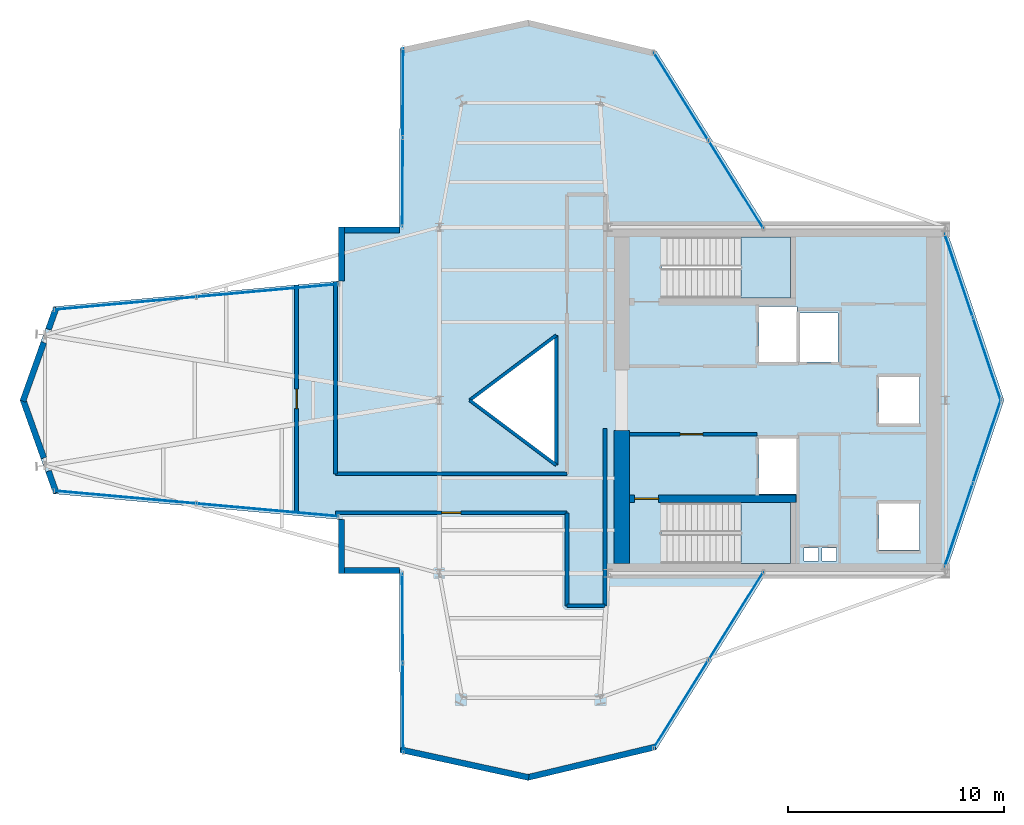
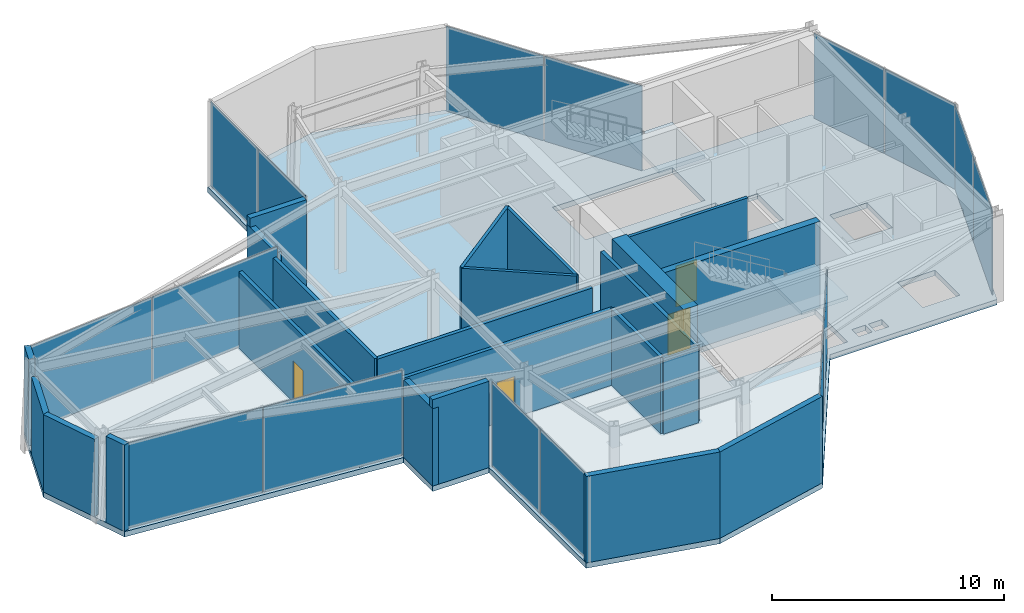
# One storey, part 9 of 14: 23 walls, 16 plates, 4 doors, 3 slabs, 4 openings, 10 elements without a shape of their own.
"""IFC4 building model written with IfcOpenShell, lengths in metres."""

from ifc_helpers import new_model, si_unit, direction, frame, frame_2d, origin, origin_2d, place, context, subcontext, project, spatial, polyline, rectangle, outline, extrude, material, layer, layer_set, type_object, element, fill, aggregate, save


model = new_model("IFC4")

# Units and contexts
model_context = context("Model", 3, precision=1e-05, world=origin(), true_north=direction((0.0, 1.0)))
body_context = subcontext(model_context, "Body", "Model", "MODEL_VIEW")
ifc_project = project(units=[si_unit("LENGTHUNIT", "METRE"), si_unit("AREAUNIT", "SQUARE_METRE"), si_unit("VOLUMEUNIT", "CUBIC_METRE"), si_unit("PLANEANGLEUNIT", "RADIAN"), si_unit("MASSUNIT", "GRAM", prefix="KILO")], contexts=[model_context])

# Site, building, storey
site_placement = place(None, origin())
site = spatial("IfcSite", under=ifc_project, at=site_placement, CompositionType="ELEMENT")
building_placement = place(site_placement, origin())
building = spatial("IfcBuilding", under=site, at=building_placement, Name="Veymaron Broadcast Tower", CompositionType="ELEMENT")
storey_placement = place(building_placement, frame((0.0, 0.0, 187.050048828125)))
storey = spatial("IfcBuildingStorey", under=building, at=storey_placement, Name="L43", CompositionType="ELEMENT", Elevation=187.050048828125)

# Curtain wall, plates
ifc_material_1 = material(Name="Anodised aluminium AA 6063-T6 and laminated low-E dark glass", Category="aluminium")
ifc_layer_1 = layer(ifc_material_1, 0.179931640625)
ifc_layer_set_1 = layer_set([ifc_layer_1], Name="Anodised aluminium AA 6063-T6 and laminated low-E dark glass")
curtain_wall_type = type_object("IfcCurtainWallType", Name="CW-SYS-04", PredefinedType="NOTDEFINED", material=ifc_layer_set_1)
curtain_wall_1_placement = place(storey_placement, origin())
curtain_wall_1 = element("IfcCurtainWall", 1, at=curtain_wall_1_placement, inside=storey, type_object=curtain_wall_type, Name="L43 dark-glass curtain wall CW-L43-E2-1", PredefinedType="NOTDEFINED")
ifc_material_2 = material(Name="Triple-laminated solar-control dark glass IGU 36 mm", Category="glass")
ifc_layer_2 = layer(ifc_material_2, 0.035888671875)
ifc_layer_set_2 = layer_set([ifc_layer_2], Name="Triple-laminated solar-control dark glass IGU 36 mm")
plate_type = type_object("IfcPlateType", Name="CW-PNL-01", PredefinedType="CURTAIN_PANEL", material=ifc_layer_set_2)
plate_1_placement = place(storey_placement, frame((55.203369140625, 18.228515625, 0.0400390625), z_axis=(0.0, 0.0, 1.0), x_axis=(0.319389360105, 0.947623573288, 0.0)))
plate_1 = element("IfcPlate", 2, at=plate_1_placement, type_object=plate_type, Name="CW-L43-E2-1 unitised curtain panel 0", PredefinedType="CURTAIN_PANEL", context=body_context, shape_type="SweptSolid", body=[
    extrude(rectangle(XDim=4.03173828125, YDim=0.035888671875, at=origin_2d()), origin(), (0.0, 0.0, 1.0), 4.4599609375),
])
plate_2_placement = place(storey_placement, frame((56.51025390625, 22.10595703125, 0.0400390625), z_axis=(0.0, 0.0, 1.0), x_axis=(0.319389360105, 0.947623573288, 0.0)))
plate_2 = element("IfcPlate", 3, at=plate_2_placement, type_object=plate_type, Name="CW-L43-E2-1 unitised curtain panel 1", PredefinedType="CURTAIN_PANEL", context=body_context, shape_type="SweptSolid", body=[
    extrude(rectangle(XDim=4.03173828125, YDim=0.035888671875, at=origin_2d()), origin(), (0.0, 0.0, 1.0), 4.4599609375),
])
aggregate(curtain_wall_1, [plate_1, plate_2])

curtain_wall_2_placement = place(storey_placement, origin())
curtain_wall_2 = element("IfcCurtainWall", 4, at=curtain_wall_2_placement, inside=storey, type_object=curtain_wall_type, Name="L43 dark-glass curtain wall CW-L43-E3-1", PredefinedType="NOTDEFINED")
plate_3_placement = place(storey_placement, frame((56.51025390625, 25.89404296875, 0.0400390625), z_axis=(0.0, 0.0, 1.0), x_axis=(-0.319389360105, 0.947623573288, 0.0)))
plate_3 = element("IfcPlate", 5, at=plate_3_placement, type_object=plate_type, Name="CW-L43-E3-1 unitised curtain panel 0", PredefinedType="CURTAIN_PANEL", context=body_context, shape_type="SweptSolid", body=[
    extrude(rectangle(XDim=4.03173828125, YDim=0.035888671875, at=origin_2d()), origin(), (0.0, 0.0, 1.0), 4.4599609375),
])
plate_4_placement = place(storey_placement, frame((55.203369140625, 29.771484375, 0.0400390625), z_axis=(0.0, 0.0, 1.0), x_axis=(-0.319389360105, 0.947623573288, 0.0)))
plate_4 = element("IfcPlate", 6, at=plate_4_placement, type_object=plate_type, Name="CW-L43-E3-1 unitised curtain panel 1", PredefinedType="CURTAIN_PANEL", context=body_context, shape_type="SweptSolid", body=[
    extrude(rectangle(XDim=4.03173828125, YDim=0.035888671875, at=origin_2d()), origin(), (0.0, 0.0, 1.0), 4.4599609375),
])
aggregate(curtain_wall_2, [plate_3, plate_4])

curtain_wall_3_placement = place(storey_placement, origin())
curtain_wall_3 = element("IfcCurtainWall", 7, at=curtain_wall_3_placement, inside=storey, type_object=curtain_wall_type, Name="L43 dark-glass curtain wall CW-L43-E5-1", PredefinedType="NOTDEFINED")
plate_5_placement = place(storey_placement, frame((44.9111328125, 33.96630859375, 0.0400390625), z_axis=(0.0, 0.0, 1.0), x_axis=(-0.528912407519, 0.848676419593, 0.0)))
plate_5 = element("IfcPlate", 8, at=plate_5_placement, type_object=plate_type, Name="CW-L43-E5-1 unitised curtain panel 0", PredefinedType="CURTAIN_PANEL", context=body_context, shape_type="SweptSolid", body=[
    extrude(rectangle(XDim=4.748046875, YDim=0.035888671875, at=origin_2d()), origin(), (0.0, 0.0, 1.0), 4.4599609375),
])
plate_6_placement = place(storey_placement, frame((42.3681640625, 38.046630859375, 0.0400390625), z_axis=(0.0, 0.0, 1.0), x_axis=(-0.528912407519, 0.848676419593, 0.0)))
plate_6 = element("IfcPlate", 9, at=plate_6_placement, type_object=plate_type, Name="CW-L43-E5-1 unitised curtain panel 1", PredefinedType="CURTAIN_PANEL", context=body_context, shape_type="SweptSolid", body=[
    extrude(rectangle(XDim=4.748046875, YDim=0.035888671875, at=origin_2d()), origin(), (0.0, 0.0, 1.0), 4.4599609375),
])
aggregate(curtain_wall_3, [plate_5, plate_6])

curtain_wall_4_placement = place(storey_placement, origin())
curtain_wall_4 = element("IfcCurtainWall", 10, at=curtain_wall_4_placement, inside=storey, type_object=curtain_wall_type, Name="L43 dark-glass curtain wall CW-L43-E8-1", PredefinedType="NOTDEFINED")
plate_7_placement = place(storey_placement, frame((29.517578125, 38.21630859375, 0.0400390625), z_axis=(0.0, 0.0, 1.0), x_axis=(-0.004555293593, -0.999989624596, 0.0)))
plate_7 = element("IfcPlate", 11, at=plate_7_placement, type_object=plate_type, Name="CW-L43-E8-1 unitised curtain panel 0", PredefinedType="CURTAIN_PANEL", context=body_context, shape_type="SweptSolid", body=[
    extrude(rectangle(XDim=4.084716796875, YDim=0.035888671875, at=origin_2d()), origin(), (0.0, 0.0, 1.0), 4.4599609375),
])
plate_8_placement = place(storey_placement, frame((29.498779296875, 34.07177734375, 0.0400390625), z_axis=(0.0, 0.0, 1.0), x_axis=(-0.004555293593, -0.999989624596, 0.0)))
plate_8 = element("IfcPlate", 12, at=plate_8_placement, type_object=plate_type, Name="CW-L43-E8-1 unitised curtain panel 1", PredefinedType="CURTAIN_PANEL", context=body_context, shape_type="SweptSolid", body=[
    extrude(rectangle(XDim=4.084716796875, YDim=0.035888671875, at=origin_2d()), origin(), (0.0, 0.0, 1.0), 4.4599609375),
])
aggregate(curtain_wall_4, [plate_7, plate_8])

curtain_wall_5_placement = place(storey_placement, origin())
curtain_wall_5 = element("IfcCurtainWall", 13, at=curtain_wall_5_placement, inside=storey, type_object=curtain_wall_type, Name="L43 dark-glass curtain wall CW-L43-E11-1", PredefinedType="NOTDEFINED")
plate_9_placement = place(storey_placement, frame((23.26171875, 29.0712890625, 0.0400390625), z_axis=(0.0, 0.0, 1.0), x_axis=(-0.99598501487, -0.089520110337, 0.0)))
plate_9 = element("IfcPlate", 14, at=plate_9_placement, type_object=plate_type, Name="CW-L43-E11-1 unitised curtain panel 0", PredefinedType="CURTAIN_PANEL", context=body_context, shape_type="SweptSolid", body=[
    extrude(rectangle(XDim=6.559326171875, YDim=0.035888671875, at=origin_2d()), origin(), (0.0, 0.0, 1.0), 4.4599609375),
])
plate_10_placement = place(storey_placement, frame((16.6689453125, 28.478759765625, 0.0400390625), z_axis=(0.0, 0.0, 1.0), x_axis=(-0.99598501487, -0.089520110337, 0.0)))
plate_10 = element("IfcPlate", 15, at=plate_10_placement, type_object=plate_type, Name="CW-L43-E11-1 unitised curtain panel 1", PredefinedType="CURTAIN_PANEL", context=body_context, shape_type="SweptSolid", body=[
    extrude(rectangle(XDim=6.559326171875, YDim=0.035888671875, at=origin_2d()), origin(), (0.0, 0.0, 1.0), 4.4599609375),
])
aggregate(curtain_wall_5, [plate_9, plate_10])

curtain_wall_6_placement = place(storey_placement, origin())
curtain_wall_6 = element("IfcCurtainWall", 16, at=curtain_wall_6_placement, inside=storey, type_object=curtain_wall_type, Name="L43 dark-glass curtain wall CW-L43-E14-1", PredefinedType="NOTDEFINED")
plate_11_placement = place(storey_placement, frame((16.6689453125, 19.521240234375, 0.0400390625), z_axis=(0.0, 0.0, 1.0), x_axis=(0.99598501487, -0.089520110337, 0.0)))
plate_11 = element("IfcPlate", 17, at=plate_11_placement, type_object=plate_type, Name="CW-L43-E14-1 unitised curtain panel 0", PredefinedType="CURTAIN_PANEL", context=body_context, shape_type="SweptSolid", body=[
    extrude(rectangle(XDim=6.559326171875, YDim=0.035888671875, at=origin_2d()), origin(), (0.0, 0.0, 1.0), 4.4599609375),
])
plate_12_placement = place(storey_placement, frame((23.26171875, 18.9287109375, 0.0400390625), z_axis=(0.0, 0.0, 1.0), x_axis=(0.99598501487, -0.089520110337, 0.0)))
plate_12 = element("IfcPlate", 18, at=plate_12_placement, type_object=plate_type, Name="CW-L43-E14-1 unitised curtain panel 1", PredefinedType="CURTAIN_PANEL", context=body_context, shape_type="SweptSolid", body=[
    extrude(rectangle(XDim=6.559326171875, YDim=0.035888671875, at=origin_2d()), origin(), (0.0, 0.0, 1.0), 4.4599609375),
])
aggregate(curtain_wall_6, [plate_11, plate_12])

curtain_wall_7_placement = place(storey_placement, origin())
curtain_wall_7 = element("IfcCurtainWall", 19, at=curtain_wall_7_placement, inside=storey, type_object=curtain_wall_type, Name="L43 dark-glass curtain wall CW-L43-E17-1", PredefinedType="NOTDEFINED")
plate_13_placement = place(storey_placement, frame((29.498779296875, 13.92822265625, 0.0400390625), z_axis=(0.0, 0.0, 1.0), x_axis=(0.004555293593, -0.999989624596, 0.0)))
plate_13 = element("IfcPlate", 20, at=plate_13_placement, type_object=plate_type, Name="CW-L43-E17-1 unitised curtain panel 0", PredefinedType="CURTAIN_PANEL", context=body_context, shape_type="SweptSolid", body=[
    extrude(rectangle(XDim=4.084716796875, YDim=0.035888671875, at=origin_2d()), origin(), (0.0, 0.0, 1.0), 4.4599609375),
])
plate_14_placement = place(storey_placement, frame((29.517578125, 9.78369140625, 0.0400390625), z_axis=(0.0, 0.0, 1.0), x_axis=(0.004555293593, -0.999989624596, 0.0)))
plate_14 = element("IfcPlate", 21, at=plate_14_placement, type_object=plate_type, Name="CW-L43-E17-1 unitised curtain panel 1", PredefinedType="CURTAIN_PANEL", context=body_context, shape_type="SweptSolid", body=[
    extrude(rectangle(XDim=4.084716796875, YDim=0.035888671875, at=origin_2d()), origin(), (0.0, 0.0, 1.0), 4.4599609375),
])
aggregate(curtain_wall_7, [plate_13, plate_14])

curtain_wall_8_placement = place(storey_placement, origin())
curtain_wall_8 = element("IfcCurtainWall", 22, at=curtain_wall_8_placement, inside=storey, type_object=curtain_wall_type, Name="L43 dark-glass curtain wall CW-L43-E20-1", PredefinedType="NOTDEFINED")
plate_15_placement = place(storey_placement, frame((42.3681640625, 9.953369140625, 0.0400390625), z_axis=(0.0, 0.0, 1.0), x_axis=(0.528912407519, 0.848676419593, 0.0)))
plate_15 = element("IfcPlate", 23, at=plate_15_placement, type_object=plate_type, Name="CW-L43-E20-1 unitised curtain panel 0", PredefinedType="CURTAIN_PANEL", context=body_context, shape_type="SweptSolid", body=[
    extrude(rectangle(XDim=4.748046875, YDim=0.035888671875, at=origin_2d()), origin(), (0.0, 0.0, 1.0), 4.4599609375),
])
plate_16_placement = place(storey_placement, frame((44.9111328125, 14.03369140625, 0.0400390625), z_axis=(0.0, 0.0, 1.0), x_axis=(0.528912407519, 0.848676419593, 0.0)))
plate_16 = element("IfcPlate", 24, at=plate_16_placement, type_object=plate_type, Name="CW-L43-E20-1 unitised curtain panel 1", PredefinedType="CURTAIN_PANEL", context=body_context, shape_type="SweptSolid", body=[
    extrude(rectangle(XDim=4.748046875, YDim=0.035888671875, at=origin_2d()), origin(), (0.0, 0.0, 1.0), 4.4599609375),
])
aggregate(curtain_wall_8, [plate_15, plate_16])

# Slab
ifc_material_3 = material(Name="Concrete C40/50", Category="concrete")
ifc_layer_3 = layer(ifc_material_3, 0.280029296875)
ifc_layer_set_3 = layer_set([ifc_layer_3], Name="Concrete C40/50")
slab_type_1 = type_object("IfcSlabType", Name="SLAB-FS3", PredefinedType="FLOOR", material=ifc_layer_set_3)
slab_1_placement = place(storey_placement, frame((0.0, 0.0, -0.280029296875)))
element("IfcSlab", 25, at=slab_1_placement, inside=storey, type_object=slab_type_1, Name="L43 structural floor slab", PredefinedType="FLOOR", context=body_context, shape_type="SweptSolid", body=[
    extrude(outline(polyline([(46.301513671875, 16.0), (54.60009765625, 16.0), (57.29638671875, 24.0), (54.60009765625, 32.0), (46.301513671875, 32.0), (41.21533203125, 40.160888671875), (35.30126953125, 41.5732421875), (29.386962890625, 40.289306640625), (29.34912109375, 32.0), (26.545654296875, 32.0), (26.545654296875, 29.507080078125), (13.360107421875, 28.322021484375), (11.819091796875, 24.0), (13.360107421875, 19.677978515625), (26.545654296875, 18.492919921875), (26.545654296875, 16.0), (29.34912109375, 16.0), (29.386962890625, 7.710693359375), (35.30126953125, 6.4267578125), (41.21533203125, 7.839111328125), (46.301513671875, 16.0)]), holes=[polyline([(45.969970703125, 28.330078125), (47.72998046875, 28.330078125), (47.72998046875, 25.77001953125), (45.969970703125, 25.77001953125), (45.969970703125, 28.330078125)]), polyline([(45.969970703125, 22.22998046875), (47.72998046875, 22.22998046875), (47.72998046875, 19.669921875), (45.969970703125, 19.669921875), (45.969970703125, 22.22998046875)]), polyline([(47.8701171875, 28.030029296875), (49.6298828125, 28.030029296875), (49.6298828125, 25.77001953125), (47.8701171875, 25.77001953125), (47.8701171875, 28.030029296875)]), polyline([(51.52001953125, 25.080078125), (53.3798828125, 25.080078125), (53.3798828125, 22.919921875), (51.52001953125, 22.919921875), (51.52001953125, 25.080078125)]), polyline([(51.52001953125, 19.22998046875), (53.3798828125, 19.22998046875), (53.3798828125, 17.070068359375), (51.52001953125, 17.070068359375), (51.52001953125, 19.22998046875)]), polyline([(48.050048828125, 17.159912109375), (48.719970703125, 17.159912109375), (48.719970703125, 16.56005859375), (48.050048828125, 16.56005859375), (48.050048828125, 17.159912109375)]), polyline([(48.8798828125, 17.159912109375), (49.550048828125, 17.159912109375), (49.550048828125, 16.56005859375), (48.8798828125, 16.56005859375), (48.8798828125, 17.159912109375)]), polyline([(36.60009765625, 27.0), (36.60009765625, 21.0), (32.60009765625, 24.0), (36.60009765625, 27.0)]), polyline([(41.489990234375, 31.550048828125), (47.43994140625, 31.550048828125), (47.43994140625, 28.72998046875), (41.489990234375, 28.72998046875), (41.489990234375, 31.550048828125)]), polyline([(41.489990234375, 19.27001953125), (47.43994140625, 19.27001953125), (47.43994140625, 16.449951171875), (41.489990234375, 16.449951171875), (41.489990234375, 19.27001953125)])]), origin(), (0.0, 0.0, 1.0), 0.280029296875),
])

# Stair, slab
ifc_material_4 = material(Name="Concrete C50/60", Category="concrete")
stair_type_1 = type_object("IfcStairType", Name="STAIR-CORE-1", PredefinedType="HALF_TURN_STAIR", material=ifc_material_4)
stair_1_placement = place(storey_placement, origin())
stair_1 = element("IfcStair", 26, at=stair_1_placement, inside=storey, type_object=stair_type_1, Name="L43 North protected dog-leg exit stair ST1", PredefinedType="HALF_TURN_STAIR")
ifc_layer_4 = layer(ifc_material_4, 0.199951171875)
ifc_layer_set_4 = layer_set([ifc_layer_4], Name="Concrete C50/60")
slab_type_2 = type_object("IfcSlabType", Name="SLAB-STAIR-LDG", PredefinedType="LANDING", material=ifc_layer_set_4)
slab_2_placement = place(storey_placement, frame((0.0, 0.0, 2.199951171875)))
slab_2 = element("IfcSlab", 27, at=slab_2_placement, type_object=slab_type_2, Name="ST1 landing 1", PredefinedType="LANDING", context=body_context, shape_type="SweptSolid", body=[
    extrude(outline(polyline([(45.135009765625, 28.72998046875), (47.43994140625, 28.72998046875), (47.43994140625, 31.550048828125), (45.135009765625, 31.550048828125), (45.135009765625, 28.72998046875)])), origin(), (0.0, 0.0, 1.0), 0.199951171875),
])
aggregate(stair_1, [slab_2])

stair_type_2 = type_object("IfcStairType", Name="STAIR-CORE-2", PredefinedType="HALF_TURN_STAIR", material=ifc_material_4)
stair_2_placement = place(storey_placement, origin())
stair_2 = element("IfcStair", 28, at=stair_2_placement, inside=storey, type_object=stair_type_2, Name="L43 South protected dog-leg exit stair ST2", PredefinedType="HALF_TURN_STAIR")
slab_3_placement = place(storey_placement, frame((0.0, 0.0, 2.199951171875)))
slab_3 = element("IfcSlab", 29, at=slab_3_placement, type_object=slab_type_2, Name="ST2 landing 1", PredefinedType="LANDING", context=body_context, shape_type="SweptSolid", body=[
    extrude(outline(polyline([(45.135009765625, 16.449951171875), (47.43994140625, 16.449951171875), (47.43994140625, 19.27001953125), (45.135009765625, 19.27001953125), (45.135009765625, 16.449951171875)])), origin(), (0.0, 0.0, 1.0), 0.199951171875),
])
aggregate(stair_2, [slab_3])

# Walls
ifc_material_5 = material(Name="Precast concrete C40/50", Category="concrete")
ifc_layer_5 = layer(ifc_material_5, 0.280029296875)
ifc_layer_set_5 = layer_set([ifc_layer_5], Name="Precast concrete C40/50")
wall_type_1 = type_object("IfcWallType", Name="WALL-EXT-280", PredefinedType="STANDARD", material=ifc_layer_set_5)
wall_1_placement = place(storey_placement, frame((29.34912109375, 31.860107421875, 0.0), z_axis=(0.0, 0.0, 1.0), x_axis=(-1.0, 0.0, 0.0)))
element("IfcWall", 30, at=wall_1_placement, inside=storey, type_object=wall_type_1, Name="L43 notched corner facade pier 9-1", PredefinedType="STANDARD", context=body_context, shape_type="SweptSolid", body=[
    extrude(rectangle(XDim=2.803466796875, YDim=0.280029296875, at=frame_2d((1.40185546875, 0.0))), origin(), (0.0, 0.0, 1.0), 4.5400390625),
])
wall_2_placement = place(storey_placement, frame((26.685546875, 32.0, 0.0), z_axis=(0.0, 0.0, 1.0), x_axis=(0.0, -1.0, 0.0)))
element("IfcWall", 31, at=wall_2_placement, inside=storey, type_object=wall_type_1, Name="L43 notched corner facade pier 10-1", PredefinedType="STANDARD", context=body_context, shape_type="SweptSolid", body=[
    extrude(rectangle(XDim=2.492919921875, YDim=0.280029296875, at=frame_2d((1.24658203125, 0.0))), origin(), (0.0, 0.0, 1.0), 4.06884765625),
])
wall_3_placement = place(storey_placement, frame((13.491943359375, 28.27490234375, 0.0), z_axis=(0.0, 0.0, 1.0), x_axis=(-0.335941997141, -0.94188267558, 0.0)))
element("IfcWall", 32, at=wall_3_placement, inside=storey, type_object=wall_type_1, Name="L43 notched corner facade pier 12-1", PredefinedType="STANDARD", context=body_context, shape_type="SweptSolid", body=[
    extrude(rectangle(XDim=1.058837890625, YDim=0.280029296875, at=frame_2d((0.529296875, 0.0))), origin(), (0.0, 0.0, 1.0), 4.5400390625),
])
for number, where, z_axis, x_axis, name in (
    (33, (12.919189453125, 26.668212890625, 0.0), (0.0, 0.0, 1.0), (-0.335799838309, -0.941933367384, 0.0), "L43 notched corner facade pier 12-2"),
    (34, (11.951171875, 24.047119140625, 0.0), (0.0, 0.0, 1.0), (0.335799838309, -0.941933367384, 0.0), "L43 notched corner facade pier 13-1"),
):
    element("IfcWall", number, at=place(storey_placement, frame(where, z_axis=z_axis, x_axis=x_axis)), inside=storey, type_object=wall_type_1, Name=name, PredefinedType="STANDARD", context=body_context, shape_type="SweptSolid", body=[
        extrude(rectangle(XDim=2.8828125, YDim=0.280029296875, at=frame_2d((1.44140625, 0.0))), origin(), (0.0, 0.0, 1.0), 4.06884765625),
    ])
wall_4_placement = place(storey_placement, frame((13.13623046875, 20.722412109375, 0.0), z_axis=(0.0, 0.0, 1.0), x_axis=(0.335941997141, -0.94188267558, 0.0)))
element("IfcWall", 35, at=wall_4_placement, inside=storey, type_object=wall_type_1, Name="L43 notched corner facade pier 13-2", PredefinedType="STANDARD", context=body_context, shape_type="SweptSolid", body=[
    extrude(rectangle(XDim=1.058837890625, YDim=0.280029296875, at=frame_2d((0.529296875, 0.0))), origin(), (0.0, 0.0, 1.0), 4.5400390625),
])
wall_5_placement = place(storey_placement, frame((26.685546875, 18.492919921875, 0.0), z_axis=(0.0, 0.0, 1.0), x_axis=(0.0, -1.0, 0.0)))
element("IfcWall", 36, at=wall_5_placement, inside=storey, type_object=wall_type_1, Name="L43 notched corner facade pier 15-1", PredefinedType="STANDARD", context=body_context, shape_type="SweptSolid", body=[
    extrude(rectangle(XDim=2.492919921875, YDim=0.280029296875, at=frame_2d((1.24658203125, 0.0))), origin(), (0.0, 0.0, 1.0), 4.06884765625),
])
wall_6_placement = place(storey_placement, frame((26.545654296875, 16.139892578125, 0.0), z_axis=(0.0, 0.0, 1.0), x_axis=(1.0, 0.0, 0.0)))
element("IfcWall", 37, at=wall_6_placement, inside=storey, type_object=wall_type_1, Name="L43 notched corner facade pier 16-1", PredefinedType="STANDARD", context=body_context, shape_type="SweptSolid", body=[
    extrude(rectangle(XDim=2.803466796875, YDim=0.280029296875, at=frame_2d((1.40185546875, 0.0))), origin(), (0.0, 0.0, 1.0), 4.5400390625),
])
wall_7_placement = place(storey_placement, frame((29.416748046875, 7.84765625, 0.0), z_axis=(0.0, 0.0, 1.0), x_axis=(0.977235673134, -0.212156638252, 0.0)))
element("IfcWall", 38, at=wall_7_placement, inside=storey, type_object=wall_type_1, Name="L43 notched corner facade pier 18-1", PredefinedType="STANDARD", context=body_context, shape_type="SweptSolid", body=[
    extrude(rectangle(XDim=6.0517578125, YDim=0.280029296875, at=frame_2d((3.02587890625, 0.0))), origin(), (0.0, 0.0, 1.0), 4.5400390625),
])
wall_8_placement = place(storey_placement, frame((35.268798828125, 6.56298828125, 0.0), z_axis=(0.0, 0.0, 1.0), x_axis=(0.972648741774, 0.232280918558, 0.0)))
element("IfcWall", 39, at=wall_8_placement, inside=storey, type_object=wall_type_1, Name="L43 notched corner facade pier 19-1", PredefinedType="STANDARD", context=body_context, shape_type="SweptSolid", body=[
    extrude(rectangle(XDim=6.080322265625, YDim=0.280029296875, at=frame_2d((3.0400390625, 0.0))), origin(), (0.0, 0.0, 1.0), 4.5400390625),
])

# Wall, opening, door
ifc_material_6 = material(Name="Gypsum fireboard and steel stud framing", Category="steel")
ifc_layer_6 = layer(ifc_material_6, 0.14990234375)
ifc_layer_set_6 = layer_set([ifc_layer_6], Name="Gypsum fireboard and steel stud framing")
wall_type_2 = type_object("IfcWallType", Name="WALL-FIRE-150", PredefinedType="PARTITIONING", material=ifc_layer_set_6)
wall_9_placement = place(storey_placement, frame((39.97998046875, 22.425048828125, 0.0), z_axis=(0.0, 0.0, 1.0), x_axis=(1.0, 0.0, 0.0)))
wall_9 = element("IfcWall", 40, at=wall_9_placement, inside=storey, type_object=wall_type_2, Name="L43 partition IW-L43-FFLS-N", PredefinedType="PARTITIONING", context=body_context, shape_type="SweptSolid", body=[
    extrude(rectangle(XDim=5.89990234375, YDim=0.14990234375, at=frame_2d((2.949951171875, 0.0))), origin(), (0.0, 0.0, 1.0), 4.5400390625),
])
opening_1_placement = place(wall_9_placement, frame((2.35009765625, 0.0, 0.0)))
opening_1 = element("IfcOpeningElement", 41, at=opening_1_placement, cuts=wall_9, Name="Opening ID-FL1", PredefinedType="OPENING", context=body_context, shape_type="SweptSolid", body=[
    extrude(rectangle(XDim=1.050048828125, YDim=2.14990234375, at=frame_2d((0.52490234375, 1.074951171875))), frame((0.0, 0.0849609375, 0.0), z_axis=(0.0, -1.0, 0.0), x_axis=(1.0, 0.0, 0.0)), (0.0, 0.0, 1.0), 0.169921875),
])
ifc_material_7 = material(Name="Fire-rated painted hollow steel ASTM A653", Category="steel")
door_type_1 = type_object("IfcDoorType", Name="DOOR-FIRE-1050", OperationType="NOTDEFINED", PredefinedType="DOOR", material=ifc_material_7)
door_1_placement = place(opening_1_placement, frame((1.050048828125, 0.0, 0.0), z_axis=(0.0, 0.0, 1.0), x_axis=(-1.0, 0.0, 0.0)))
door_1 = element("IfcDoor", 42, at=door_1_placement, inside=storey, type_object=door_type_1, Name="L43 door DR-L43-FFLS", OperationType="SINGLE_SWING_RIGHT", OverallHeight=2.14990234375, OverallWidth=1.050048828125, PredefinedType="DOOR", context=body_context, shape_type="SweptSolid", body=[
    extrude(rectangle(XDim=1.050048828125, YDim=2.14990234375, at=frame_2d((0.52490234375, 1.074951171875))), frame((0.0, 0.02490234375, 0.0), z_axis=(0.0, -1.0, 0.0), x_axis=(1.0, 0.0, 0.0)), (0.0, 0.0, 1.0), 0.050048828125),
])
fill(opening_1, door_1)

ifc_layer_7 = layer(ifc_material_3, 0.179931640625)
ifc_layer_set_7 = layer_set([ifc_layer_7], Name="Concrete C40/50")
wall_type_3 = type_object("IfcWallType", Name="WALL-FIRE-180", PredefinedType="SOLIDWALL", material=ifc_layer_set_7)
wall_10_placement = place(storey_placement, frame((26.39990234375, 18.800048828125, 0.0), z_axis=(0.0, 0.0, 1.0), x_axis=(1.0, 0.0, 0.0)))
wall_10 = element("IfcWall", 43, at=wall_10_placement, inside=storey, type_object=wall_type_3, Name="L43 partition IW-L43-P01", PredefinedType="SOLIDWALL", context=body_context, shape_type="SweptSolid", body=[
    extrude(rectangle(XDim=10.7001953125, YDim=0.179931640625, at=frame_2d((5.35009765625, 0.0))), origin(), (0.0, 0.0, 1.0), 3.990966796875),
])
opening_2_placement = place(wall_10_placement, frame((4.89990234375, 0.0, 0.0)))
opening_2 = element("IfcOpeningElement", 44, at=opening_2_placement, cuts=wall_10, Name="Opening ID-RM2", PredefinedType="OPENING", context=body_context, shape_type="SweptSolid", body=[
    extrude(rectangle(XDim=0.89990234375, YDim=2.14990234375, at=frame_2d((0.449951171875, 1.074951171875))), frame((0.0, 0.10009765625, 0.0), z_axis=(0.0, -1.0, 0.0), x_axis=(1.0, 0.0, 0.0)), (0.0, 0.0, 1.0), 0.199951171875),
])
ifc_material_8 = material(Name="Acoustic solid-core European oak veneer timber", Category="wood")
door_type_2 = type_object("IfcDoorType", Name="DOOR-INT-900", OperationType="NOTDEFINED", PredefinedType="DOOR", material=ifc_material_8)
door_2_placement = place(opening_2_placement, frame((0.89990234375, 0.0, 0.0), z_axis=(0.0, 0.0, 1.0), x_axis=(-1.0, 0.0, 0.0)))
door_2 = element("IfcDoor", 45, at=door_2_placement, inside=storey, type_object=door_type_2, Name="L43 door DR-L43-P01", OperationType="SINGLE_SWING_RIGHT", OverallHeight=2.14990234375, OverallWidth=0.89990234375, PredefinedType="DOOR", context=body_context, shape_type="SweptSolid", body=[
    extrude(rectangle(XDim=0.89990234375, YDim=2.14990234375, at=frame_2d((0.449951171875, 1.074951171875))), frame((0.0, 0.02490234375, 0.0), z_axis=(0.0, -1.0, 0.0), x_axis=(1.0, 0.0, 0.0)), (0.0, 0.0, 1.0), 0.050048828125),
])
fill(opening_2, door_2)

wall_11_placement = place(storey_placement, frame((24.60009765625, 18.800048828125, 0.0), z_axis=(0.0, 0.0, 1.0), x_axis=(0.0, 1.0, 0.0)))
wall_11 = element("IfcWall", 46, at=wall_11_placement, inside=storey, type_object=wall_type_3, Name="L43 partition IW-L43-P05", PredefinedType="SOLIDWALL", context=body_context, shape_type="SweptSolid", body=[
    extrude(rectangle(XDim=10.531982421875, YDim=0.179931640625, at=frame_2d((5.26611328125, 0.0))), origin(), (0.0, 0.0, 1.0), 3.990966796875),
])
opening_3_placement = place(wall_11_placement, frame((4.81591796875, 0.0, 0.0)))
opening_3 = element("IfcOpeningElement", 47, at=opening_3_placement, cuts=wall_11, Name="Opening ID-RM2", PredefinedType="OPENING", context=body_context, shape_type="SweptSolid", body=[
    extrude(rectangle(XDim=0.89990234375, YDim=2.14990234375, at=frame_2d((0.449951171875, 1.074951171875))), frame((0.0, 0.10009765625, 0.0), z_axis=(0.0, -1.0, 0.0), x_axis=(1.0, 0.0, 0.0)), (0.0, 0.0, 1.0), 0.199951171875),
])
door_3_placement = place(opening_3_placement, origin())
door_3 = element("IfcDoor", 48, at=door_3_placement, inside=storey, type_object=door_type_2, Name="L43 door DR-L43-P05", OperationType="SINGLE_SWING_RIGHT", OverallHeight=2.14990234375, OverallWidth=0.89990234375, PredefinedType="DOOR", context=body_context, shape_type="SweptSolid", body=[
    extrude(rectangle(XDim=0.89990234375, YDim=2.14990234375, at=frame_2d((0.449951171875, 1.074951171875))), frame((0.0, 0.02490234375, 0.0), z_axis=(0.0, -1.0, 0.0), x_axis=(1.0, 0.0, 0.0)), (0.0, 0.0, 1.0), 0.050048828125),
])
fill(opening_3, door_3)

# Walls
wall_12_placement = place(storey_placement, frame((38.85009765625, 14.5, 0.0), z_axis=(0.0, 0.0, 1.0), x_axis=(0.0, 1.0, 0.0)))
element("IfcWall", 49, at=wall_12_placement, inside=storey, type_object=wall_type_3, Name="L43 partition IW-L43-P02", PredefinedType="SOLIDWALL", context=body_context, shape_type="SweptSolid", body=[
    extrude(rectangle(XDim=8.199951171875, YDim=0.179931640625, at=frame_2d((4.10009765625, 0.0))), origin(), (0.0, 0.0, 1.0), 3.990966796875),
])
wall_13_placement = place(storey_placement, frame((37.10009765625, 14.5, 0.0), z_axis=(0.0, 0.0, 1.0), x_axis=(0.0, 1.0, 0.0)))
element("IfcWall", 50, at=wall_13_placement, inside=storey, type_object=wall_type_3, Name="L43 partition IW-L43-P03", PredefinedType="SOLIDWALL", context=body_context, shape_type="SweptSolid", body=[
    extrude(rectangle(XDim=4.300048828125, YDim=0.179931640625, at=frame_2d((2.14990234375, 0.0))), origin(), (0.0, 0.0, 1.0), 3.990966796875),
])
wall_14_placement = place(storey_placement, frame((37.10009765625, 14.5, 0.0), z_axis=(0.0, 0.0, 1.0), x_axis=(1.0, 0.0, 0.0)))
element("IfcWall", 51, at=wall_14_placement, inside=storey, type_object=wall_type_3, Name="L43 partition IW-L43-P04", PredefinedType="SOLIDWALL", context=body_context, shape_type="SweptSolid", body=[
    extrude(rectangle(XDim=1.75, YDim=0.179931640625, at=frame_2d((0.875, 0.0))), origin(), (0.0, 0.0, 1.0), 3.990966796875),
])
wall_15_placement = place(storey_placement, frame((26.39990234375, 20.60009765625, 0.0), z_axis=(0.0, 0.0, 1.0), x_axis=(1.0, 0.0, 0.0)))
element("IfcWall", 52, at=wall_15_placement, inside=storey, type_object=wall_type_3, Name="L43 partition IW-L43-P07", PredefinedType="SOLIDWALL", context=body_context, shape_type="SweptSolid", body=[
    extrude(rectangle(XDim=10.7001953125, YDim=0.179931640625, at=frame_2d((5.35009765625, 0.0))), origin(), (0.0, 0.0, 1.0), 3.990966796875),
])
wall_16_placement = place(storey_placement, frame((26.39990234375, 20.60009765625, 0.0), z_axis=(0.0, 0.0, 1.0), x_axis=(0.0, 1.0, 0.0)))
element("IfcWall", 53, at=wall_16_placement, inside=storey, type_object=wall_type_3, Name="L43 partition IW-L43-P08", PredefinedType="SOLIDWALL", context=body_context, shape_type="SweptSolid", body=[
    extrude(rectangle(XDim=8.893798828125, YDim=0.179931640625, at=frame_2d((4.44677734375, 0.0))), origin(), (0.0, 0.0, 1.0), 3.990966796875),
])
ifc_material_9 = material(Name="Fire-rated laminated glass in aluminium frame", Category="aluminium")
ifc_layer_8 = layer(ifc_material_9, 0.14990234375)
ifc_layer_set_8 = layer_set([ifc_layer_8], Name="Fire-rated laminated glass in aluminium frame")
wall_type_4 = type_object("IfcWallType", Name="WALL-GLZ-150", PredefinedType="MOVABLE", material=ifc_layer_set_8)
wall_17_placement = place(storey_placement, frame((32.60009765625, 24.0, 0.0), z_axis=(0.0, 0.0, 1.0), x_axis=(0.8, -0.6, 0.0)))
element("IfcWall", 54, at=wall_17_placement, inside=storey, type_object=wall_type_4, Name="L43 partition IW-L43-ATR1", PredefinedType="MOVABLE", context=body_context, shape_type="SweptSolid", body=[
    extrude(rectangle(XDim=5.0, YDim=0.14990234375, at=frame_2d((2.5, 0.0))), origin(), (0.0, 0.0, 1.0), 4.5400390625),
])
wall_18_placement = place(storey_placement, frame((36.60009765625, 21.0, 0.0), z_axis=(0.0, 0.0, 1.0), x_axis=(0.0, 1.0, 0.0)))
element("IfcWall", 55, at=wall_18_placement, inside=storey, type_object=wall_type_4, Name="L43 partition IW-L43-ATR2", PredefinedType="MOVABLE", context=body_context, shape_type="SweptSolid", body=[
    extrude(rectangle(XDim=6.0, YDim=0.14990234375, at=frame_2d((3.0, 0.0))), origin(), (0.0, 0.0, 1.0), 4.5400390625),
])
wall_19_placement = place(storey_placement, frame((36.60009765625, 27.0, 0.0), z_axis=(0.0, 0.0, 1.0), x_axis=(-0.8, -0.6, 0.0)))
element("IfcWall", 56, at=wall_19_placement, inside=storey, type_object=wall_type_4, Name="L43 partition IW-L43-ATR3", PredefinedType="MOVABLE", context=body_context, shape_type="SweptSolid", body=[
    extrude(rectangle(XDim=5.0, YDim=0.14990234375, at=frame_2d((2.5, 0.0))), origin(), (0.0, 0.0, 1.0), 4.5400390625),
])

# Wall, opening, door
ifc_layer_9 = layer(ifc_material_4, 0.35009765625)
ifc_layer_set_9 = layer_set([ifc_layer_9], Name="Concrete C50/60")
wall_type_5 = type_object("IfcWallType", Name="WALL-SHEAR-350", PredefinedType="SHEAR", material=ifc_layer_set_9)
wall_20_placement = place(storey_placement, frame((39.97998046875, 19.445068359375, 0.0), z_axis=(0.0, 0.0, 1.0), x_axis=(1.0, 0.0, 0.0)))
wall_20 = element("IfcWall", 57, at=wall_20_placement, inside=storey, type_object=wall_type_5, Name="L43 Core Wall south stair spine", PredefinedType="SHEAR", context=body_context, shape_type="SweptSolid", body=[
    extrude(rectangle(XDim=7.7099609375, YDim=0.35009765625, at=frame_2d((3.85498046875, 0.0))), origin(), (0.0, 0.0, 1.0), 4.5400390625),
])
opening_4_placement = place(wall_20_placement, frame((0.25, 0.0, 0.0)))
opening_4 = element("IfcOpeningElement", 58, at=opening_4_placement, cuts=wall_20, Name="Opening ID-ST1", PredefinedType="OPENING", context=body_context, shape_type="SweptSolid", body=[
    extrude(rectangle(XDim=1.10009765625, YDim=2.14990234375, at=frame_2d((0.550048828125, 1.074951171875))), frame((0.0, 0.18505859375, 0.0), z_axis=(0.0, -1.0, 0.0), x_axis=(1.0, 0.0, 0.0)), (0.0, 0.0, 1.0), 0.3701171875),
])
door_type_3 = type_object("IfcDoorType", Name="DOOR-STAIR-1100", OperationType="NOTDEFINED", PredefinedType="DOOR", material=ifc_material_7)
door_4_placement = place(opening_4_placement, frame((1.10009765625, 0.0, 0.0), z_axis=(0.0, 0.0, 1.0), x_axis=(-1.0, 0.0, 0.0)))
door_4 = element("IfcDoor", 59, at=door_4_placement, inside=storey, type_object=door_type_3, Name="L43 exit stair ST2 fire door", OperationType="SINGLE_SWING_LEFT", OverallHeight=2.14990234375, OverallWidth=1.10009765625, PredefinedType="DOOR", context=body_context, shape_type="SweptSolid", body=[
    extrude(rectangle(XDim=1.10009765625, YDim=2.14990234375, at=frame_2d((0.550048828125, 1.074951171875))), frame((0.0, 0.02490234375, 0.0), z_axis=(0.0, -1.0, 0.0), x_axis=(1.0, 0.0, 0.0)), (0.0, 0.0, 1.0), 0.050048828125),
])
fill(opening_4, door_4)

# Wall
ifc_material_10 = material(Name="Concrete C60/75", Category="concrete")
ifc_layer_10 = layer(ifc_material_10, 0.699951171875)
ifc_layer_set_10 = layer_set([ifc_layer_10], Name="Concrete C60/75")
wall_type_6 = type_object("IfcWallType", Name="WALL-SHEAR-700", PredefinedType="SHEAR", material=ifc_layer_set_10)
wall_21_placement = place(storey_placement, frame((39.6298828125, 16.449951171875, 0.0), z_axis=(0.0, 0.0, 1.0), x_axis=(0.0, 1.0, 0.0)))
element("IfcWall", 60, at=wall_21_placement, inside=storey, type_object=wall_type_6, Name="L43 Core Wall west-south shear", PredefinedType="SHEAR", context=body_context, shape_type="SweptSolid", body=[
    extrude(rectangle(XDim=6.150146484375, YDim=0.699951171875, at=frame_2d((3.0751953125, 0.0))), origin(), (0.0, 0.0, 1.0), 4.5400390625),
])

save(model, "model.ifc")
